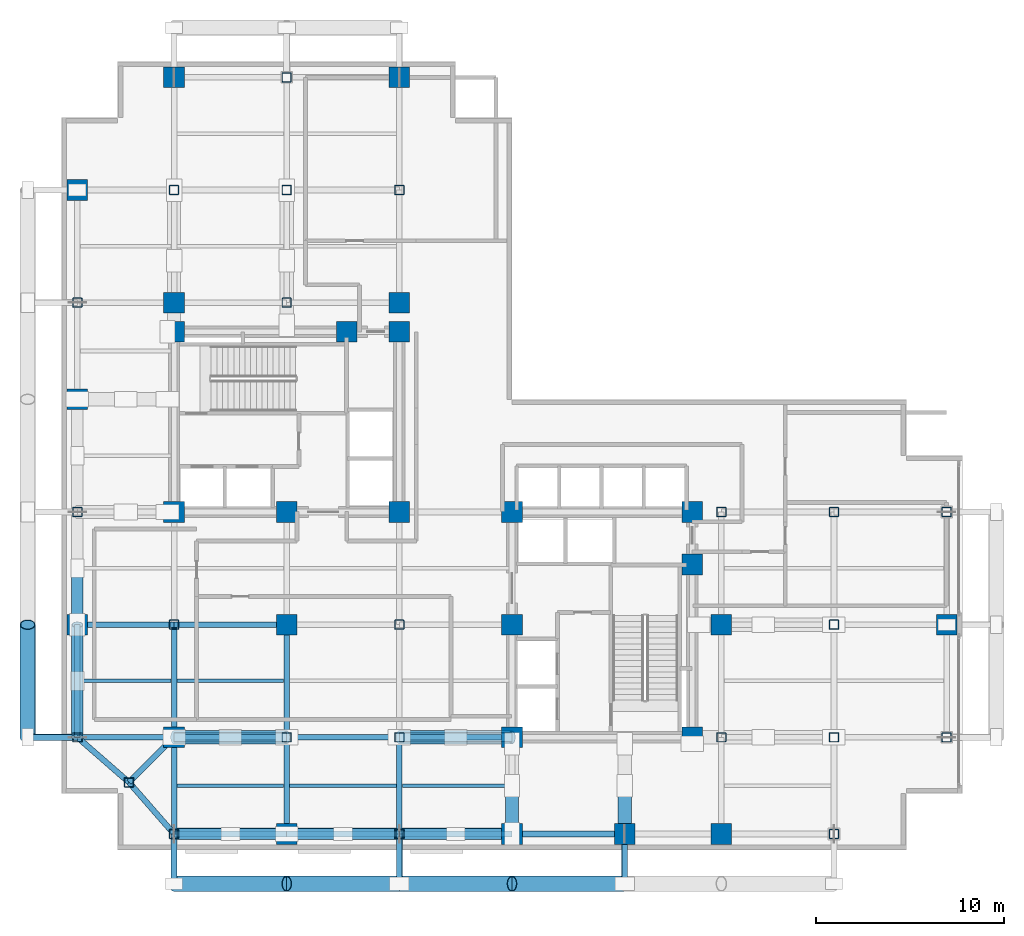
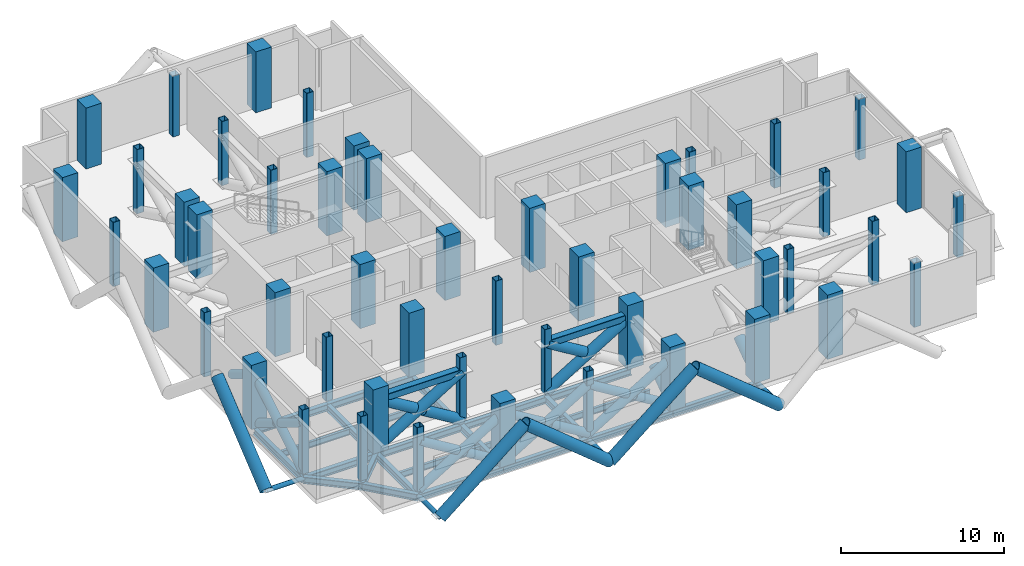
# One storey, part 1 of 9: 50 columns, 31 members, 24 beams.
"""IFC4 building model written with IfcOpenShell, lengths in metres."""

from ifc_helpers import new_model, si_unit, direction, frame, origin, origin_2d, place, context, subcontext, project, spatial, rectangle, hollow_rectangle, hollow_circle, i_section, extrude, material, material_profile, profile_set, type_object, element, save


model = new_model("IFC4")

# Units and contexts
model_context = context("Model", 3, precision=1e-05, world=origin(), true_north=direction((0.0, 1.0)))
body_context = subcontext(model_context, "Body", "Model", "MODEL_VIEW")
ifc_project = project(units=[si_unit("LENGTHUNIT", "METRE"), si_unit("AREAUNIT", "SQUARE_METRE"), si_unit("VOLUMEUNIT", "CUBIC_METRE"), si_unit("PLANEANGLEUNIT", "RADIAN"), si_unit("MASSUNIT", "GRAM", prefix="KILO"), si_unit("THERMODYNAMICTEMPERATUREUNIT", "KELVIN"), si_unit("POWERUNIT", "WATT")], contexts=[model_context])

# Site, building, storey
site_placement = place(None, origin())
site = spatial("IfcSite", under=ifc_project, at=site_placement, CompositionType="ELEMENT")
building_placement = place(site_placement, origin())
building = spatial("IfcBuilding", under=site, at=building_placement, Name="Svarakhadi Broadcast Tower", CompositionType="ELEMENT")
storey_placement = place(building_placement, frame((0.0, 0.0, 164.39990234375)))
storey = spatial("IfcBuildingStorey", under=building, at=storey_placement, Name="L40", CompositionType="ELEMENT", Elevation=164.39990234375)

# Columns
ifc_material_1 = material(Name="Concrete C50/60 (IS 456 M60)", Category="concrete")
ifc_material_profile_1 = material_profile(ifc_material_1, rectangle(XDim=1.10009765625, YDim=1.10009765625, at=origin_2d()), Name="RC 1100x1100")
ifc_profile_set_1 = profile_set([ifc_material_profile_1], Name="Concrete C50/60 (IS 456 M60)")
column_type_1 = type_object("IfcColumnType", Name="Col_RC1100", PredefinedType="COLUMN", material=ifc_profile_set_1)
for number, where, z_axis, x_axis, name in (
    (1, (6.0, 18.0, 0.0), (0.0, 0.0, 1.0), (1.0, 0.0, 0.0), "L40 Column CW1"),
    (2, (12.0, 18.0, 0.0), (0.0, 0.0, 1.0), (1.0, 0.0, 0.0), "L40 Column CW2"),
    (3, (18.0, 18.0, 0.0), (0.0, 0.0, 1.0), (1.0, 0.0, 0.0), "L40 Column CW3"),
    (4, (6.0, 27.60009765625, 0.0), (0.0, 0.0, 1.0), (1.0, 0.0, 0.0), "L40 Column CW4"),
    (5, (15.199951171875, 27.60009765625, 0.0), (0.0, 0.0, 1.0), (1.0, 0.0, 0.0), "L40 Column CW5"),
    (6, (18.0, 27.60009765625, 0.0), (0.0, 0.0, 1.0), (1.0, 0.0, 0.0), "L40 Column CW6"),
    (7, (24.0, 6.0, 0.0), (0.0, 0.0, 1.0), (1.0, 0.0, 0.0), "L40 Column CE1"),
    (8, (24.0, 12.0, 0.0), (0.0, 0.0, 1.0), (1.0, 0.0, 0.0), "L40 Column CE2"),
    (9, (24.0, 18.0, 0.0), (0.0, 0.0, 1.0), (1.0, 0.0, 0.0), "L40 Column CE3"),
    (10, (33.60009765625, 6.0, 0.0), (0.0, 0.0, 1.0), (1.0, 0.0, 0.0), "L40 Column CE4"),
    (11, (33.60009765625, 15.199951171875, 0.0), (0.0, 0.0, 1.0), (1.0, 0.0, 0.0), "L40 Column CE5"),
    (12, (33.60009765625, 18.0, 0.0), (0.0, 0.0, 1.0), (1.0, 0.0, 0.0), "L40 Column CE6"),
    (13, (0.85009765625, 12.0, 0.0), (0.0, 0.0, 1.0), (1.0, 0.0, 0.0), "L40 Column G04"),
    (14, (0.85009765625, 24.0, 0.0), (0.0, 0.0, 1.0), (1.0, 0.0, 0.0), "L40 Column G06"),
    (15, (0.85009765625, 35.14990234375, 0.0), (0.0, 0.0, 1.0), (1.0, 0.0, 0.0), "L40 Column G08"),
    (16, (6.0, 6.0, 0.0), (0.0, 0.0, 1.0), (1.0, 0.0, 0.0), "L40 Column G12"),
    (17, (6.0, 29.14990234375, 0.0), (0.0, 0.0, 1.0), (1.0, 0.0, 0.0), "L40 Column G14"),
):
    element("IfcColumn", number, at=place(storey_placement, frame(where, z_axis=z_axis, x_axis=x_axis)), inside=storey, type_object=column_type_1, Name=name, PredefinedType="COLUMN", context=body_context, shape_type="SweptSolid", body=[
        extrude(rectangle(XDim=1.10009765625, YDim=1.10009765625, at=origin_2d()), origin(), (0.0, 0.0, 1.0), 4.800048828125),
    ])
column_1_placement = place(storey_placement, frame((6.0, 41.14990234375, 0.0), z_axis=(0.0, 0.0, 1.0), x_axis=(1.0, 0.0, 0.0)))
element("IfcColumn", 18, at=column_1_placement, inside=storey, type_object=column_type_1, Name="L40 Column G16", PredefinedType="COLUMN", context=body_context, shape_type="SweptSolid", body=[
    extrude(rectangle(XDim=1.10009765625, YDim=1.10009765625, at=origin_2d()), origin(), (0.0, 0.0, 1.0), 4.56005859375),
])
for number, where, z_axis, x_axis, name in (
    (19, (12.0, 0.85009765625, 0.0), (0.0, 0.0, 1.0), (1.0, 0.0, 0.0), "L40 Column G18"),
    (20, (12.0, 12.0, 0.0), (0.0, 0.0, 1.0), (1.0, 0.0, 0.0), "L40 Column G20"),
    (21, (18.0, 29.14990234375, 0.0), (0.0, 0.0, 1.0), (1.0, 0.0, 0.0), "L40 Column G28"),
):
    element("IfcColumn", number, at=place(storey_placement, frame(where, z_axis=z_axis, x_axis=x_axis)), inside=storey, type_object=column_type_1, Name=name, PredefinedType="COLUMN", context=body_context, shape_type="SweptSolid", body=[
        extrude(rectangle(XDim=1.10009765625, YDim=1.10009765625, at=origin_2d()), origin(), (0.0, 0.0, 1.0), 4.800048828125),
    ])
column_2_placement = place(storey_placement, frame((18.0, 41.14990234375, 0.0), z_axis=(0.0, 0.0, 1.0), x_axis=(1.0, 0.0, 0.0)))
element("IfcColumn", 22, at=column_2_placement, inside=storey, type_object=column_type_1, Name="L40 Column G30", PredefinedType="COLUMN", context=body_context, shape_type="SweptSolid", body=[
    extrude(rectangle(XDim=1.10009765625, YDim=1.10009765625, at=origin_2d()), origin(), (0.0, 0.0, 1.0), 4.56005859375),
])
for number, where, z_axis, x_axis, name in (
    (23, (24.0, 0.85009765625, 0.0), (0.0, 0.0, 1.0), (1.0, 0.0, 0.0), "L40 Column G32"),
    (24, (30.0, 0.85009765625, 0.0), (0.0, 0.0, 1.0), (1.0, 0.0, 0.0), "L40 Column G36"),
    (25, (35.14990234375, 0.85009765625, 0.0), (0.0, 0.0, 1.0), (1.0, 0.0, 0.0), "L40 Column G38"),
    (26, (35.14990234375, 12.0, 0.0), (0.0, 0.0, 1.0), (1.0, 0.0, 0.0), "L40 Column G40"),
):
    element("IfcColumn", number, at=place(storey_placement, frame(where, z_axis=z_axis, x_axis=x_axis)), inside=storey, type_object=column_type_1, Name=name, PredefinedType="COLUMN", context=body_context, shape_type="SweptSolid", body=[
        extrude(rectangle(XDim=1.10009765625, YDim=1.10009765625, at=origin_2d()), origin(), (0.0, 0.0, 1.0), 4.800048828125),
    ])
column_3_placement = place(storey_placement, frame((47.14990234375, 12.0, 0.0), z_axis=(0.0, 0.0, 1.0), x_axis=(1.0, 0.0, 0.0)))
element("IfcColumn", 27, at=column_3_placement, inside=storey, type_object=column_type_1, Name="L40 Column G52", PredefinedType="COLUMN", context=body_context, shape_type="SweptSolid", body=[
    extrude(rectangle(XDim=1.10009765625, YDim=1.10009765625, at=origin_2d()), origin(), (0.0, 0.0, 1.0), 4.56005859375),
])
ifc_material_2 = material(Name="Steel S460ML (IS 2062 E450BR)", Category="steel")
ifc_material_profile_2 = material_profile(ifc_material_2, hollow_rectangle(XDim=0.5, YDim=0.5, WallThickness=0.02490234375, InnerFilletRadius=0.02490234375, OuterFilletRadius=0.0400390625, at=origin_2d()), Name="SHS 500x500x25")
ifc_profile_set_2 = profile_set([ifc_material_profile_2], Name="Steel S460ML (IS 2062 E450BR)")
column_type_2 = type_object("IfcColumnType", Name="Col_SHS500", PredefinedType="COLUMN", material=ifc_profile_set_2)
for number, where, z_axis, x_axis, name in (
    (28, (3.60009765625, 3.60009765625, 0.0), (0.0, 0.0, 1.0), (1.0, 0.0, 0.0), "L40 Column G01"),
    (29, (0.85009765625, 6.0, 0.0), (0.0, 0.0, 1.0), (1.0, 0.0, 0.0), "L40 Column G03"),
    (30, (0.85009765625, 18.0, 0.0), (0.0, 0.0, 1.0), (1.0, 0.0, 0.0), "L40 Column G05"),
    (31, (0.85009765625, 29.14990234375, 0.0), (0.0, 0.0, 1.0), (1.0, 0.0, 0.0), "L40 Column G07"),
    (32, (6.0, 0.85009765625, 0.0), (0.0, 0.0, 1.0), (1.0, 0.0, 0.0), "L40 Column G11"),
    (33, (6.0, 12.0, 0.0), (0.0, 0.0, 1.0), (1.0, 0.0, 0.0), "L40 Column G13"),
    (34, (6.0, 35.14990234375, 0.0), (0.0, 0.0, 1.0), (1.0, 0.0, 0.0), "L40 Column G15"),
    (35, (12.0, 6.0, 0.0), (0.0, 0.0, 1.0), (1.0, 0.0, 0.0), "L40 Column G19"),
    (36, (12.0, 29.14990234375, 0.0), (0.0, 0.0, 1.0), (1.0, 0.0, 0.0), "L40 Column G21"),
    (37, (12.0, 35.14990234375, 0.0), (0.0, 0.0, 1.0), (1.0, 0.0, 0.0), "L40 Column G22"),
):
    element("IfcColumn", number, at=place(storey_placement, frame(where, z_axis=z_axis, x_axis=x_axis)), inside=storey, type_object=column_type_2, Name=name, PredefinedType="COLUMN", context=body_context, shape_type="SweptSolid", body=[
        extrude(hollow_rectangle(XDim=0.5, YDim=0.5, WallThickness=0.02490234375, InnerFilletRadius=0.02490234375, OuterFilletRadius=0.0400390625, at=origin_2d()), origin(), (0.0, 0.0, 1.0), 4.800048828125),
    ])
column_4_placement = place(storey_placement, frame((12.0, 41.14990234375, 0.0), z_axis=(0.0, 0.0, 1.0), x_axis=(1.0, 0.0, 0.0)))
element("IfcColumn", 38, at=column_4_placement, inside=storey, type_object=column_type_2, Name="L40 Column G23", PredefinedType="COLUMN", context=body_context, shape_type="SweptSolid", body=[
    extrude(hollow_rectangle(XDim=0.5, YDim=0.5, WallThickness=0.02490234375, InnerFilletRadius=0.02490234375, OuterFilletRadius=0.0400390625, at=origin_2d()), origin(), (0.0, 0.0, 1.0), 4.56005859375),
])
for number, where, z_axis, x_axis, name in (
    (39, (18.0, 0.85009765625, 0.0), (0.0, 0.0, 1.0), (1.0, 0.0, 0.0), "L40 Column G25"),
    (40, (18.0, 6.0, 0.0), (0.0, 0.0, 1.0), (1.0, 0.0, 0.0), "L40 Column G26"),
    (41, (18.0, 12.0, 0.0), (0.0, 0.0, 1.0), (1.0, 0.0, 0.0), "L40 Column G27"),
    (42, (18.0, 35.14990234375, 0.0), (0.0, 0.0, 1.0), (1.0, 0.0, 0.0), "L40 Column G29"),
    (43, (35.14990234375, 6.0, 0.0), (0.0, 0.0, 1.0), (1.0, 0.0, 0.0), "L40 Column G39"),
    (44, (35.14990234375, 18.0, 0.0), (0.0, 0.0, 1.0), (1.0, 0.0, 0.0), "L40 Column G41"),
    (45, (41.14990234375, 0.85009765625, 0.0), (0.0, 0.0, 1.0), (1.0, 0.0, 0.0), "L40 Column G43"),
    (46, (41.14990234375, 6.0, 0.0), (0.0, 0.0, 1.0), (1.0, 0.0, 0.0), "L40 Column G44"),
    (47, (41.14990234375, 12.0, 0.0), (0.0, 0.0, 1.0), (1.0, 0.0, 0.0), "L40 Column G45"),
    (48, (41.14990234375, 18.0, 0.0), (0.0, 0.0, 1.0), (1.0, 0.0, 0.0), "L40 Column G46"),
):
    element("IfcColumn", number, at=place(storey_placement, frame(where, z_axis=z_axis, x_axis=x_axis)), inside=storey, type_object=column_type_2, Name=name, PredefinedType="COLUMN", context=body_context, shape_type="SweptSolid", body=[
        extrude(hollow_rectangle(XDim=0.5, YDim=0.5, WallThickness=0.02490234375, InnerFilletRadius=0.02490234375, OuterFilletRadius=0.0400390625, at=origin_2d()), origin(), (0.0, 0.0, 1.0), 4.800048828125),
    ])
for number, where, z_axis, x_axis, name in (
    (49, (47.14990234375, 6.0, 0.0), (0.0, 0.0, 1.0), (1.0, 0.0, 0.0), "L40 Column G51"),
    (50, (47.14990234375, 18.0, 0.0), (0.0, 0.0, 1.0), (1.0, 0.0, 0.0), "L40 Column G53"),
):
    element("IfcColumn", number, at=place(storey_placement, frame(where, z_axis=z_axis, x_axis=x_axis)), inside=storey, type_object=column_type_2, Name=name, PredefinedType="COLUMN", context=body_context, shape_type="SweptSolid", body=[
        extrude(hollow_rectangle(XDim=0.5, YDim=0.5, WallThickness=0.02490234375, InnerFilletRadius=0.02490234375, OuterFilletRadius=0.0400390625, at=origin_2d()), origin(), (0.0, 0.0, 1.0), 4.56005859375),
    ])

# Beams
ifc_material_3 = material(Name="Steel S355J2 (IS 2062 E350C)", Category="steel")
ifc_material_profile_3 = material_profile(ifc_material_3, i_section(OverallWidth=0.18994140625, OverallDepth=0.449951171875, WebThickness=0.009521484375, FlangeThickness=0.0146484375, FilletRadius=0.02099609375, at=origin_2d()), Name="NPB 450x190x78")
ifc_profile_set_3 = profile_set([ifc_material_profile_3], Name="Steel S355J2 (IS 2062 E350C)")
beam_type_1 = type_object("IfcBeamType", Name="Beam_NPB450", PredefinedType="BEAM", material=ifc_profile_set_3)
beam_1_placement = place(storey_placement, frame((1.010009765625, 9.0, -0.5498046875), z_axis=(1.0, 0.0, 0.0), x_axis=(0.0, 1.0, 0.0)))
element("IfcBeam", 51, at=beam_1_placement, inside=storey, type_object=beam_type_1, Name="L40 Secondary Composite Beam SB001", PredefinedType="BEAM", context=body_context, shape_type="SweptSolid", body=[
    extrude(i_section(OverallWidth=0.18994140625, OverallDepth=0.449951171875, WebThickness=0.009521484375, FlangeThickness=0.0146484375, FilletRadius=0.02099609375, at=origin_2d()), origin(), (0.0, 0.0, 1.0), 4.830078125),
])
for number, where, z_axis, x_axis, name in (
    (52, (6.159912109375, 3.425048828125, -0.5498046875), (1.0, 0.0, 0.0), (0.0, 1.0, 0.0), "L40 Secondary Composite Beam SB006"),
    (53, (6.159912109375, 9.0, -0.5498046875), (1.0, 0.0, 0.0), (0.0, 1.0, 0.0), "L40 Secondary Composite Beam SB007"),
    (54, (12.159912109375, 3.425048828125, -0.5498046875), (1.0, 0.0, 0.0), (0.0, 1.0, 0.0), "L40 Secondary Composite Beam SB011"),
    (55, (18.159912109375, 3.425048828125, -0.5498046875), (1.0, 0.0, 0.0), (0.0, 1.0, 0.0), "L40 Secondary Composite Beam SB016"),
):
    element("IfcBeam", number, at=place(storey_placement, frame(where, z_axis=z_axis, x_axis=x_axis)), inside=storey, type_object=beam_type_1, Name=name, PredefinedType="BEAM", context=body_context, shape_type="SweptSolid", body=[
        extrude(i_section(OverallWidth=0.18994140625, OverallDepth=0.449951171875, WebThickness=0.009521484375, FlangeThickness=0.0146484375, FilletRadius=0.02099609375, at=origin_2d()), origin(), (0.0, 0.0, 1.0), 5.68017578125),
    ])

# Members
ifc_material_profile_4 = material_profile(ifc_material_2, hollow_circle(Radius=0.304931640625, WallThickness=0.030029296875, at=origin_2d()), Name="CHS 610x30")
ifc_profile_set_4 = profile_set([ifc_material_profile_4], Name="Steel S460ML (IS 2062 E450BR)")
member_type_1 = type_object("IfcMemberType", Name="Belt_Brace_BT01", PredefinedType="BRACE", material=ifc_profile_set_4)
member_1_placement = place(storey_placement, frame((6.0, 0.85009765625, 0.0), z_axis=(0.85495943252, 0.0, 0.51869487056), x_axis=(0.0, 1.0, 0.0)))
element("IfcMember", 56, at=member_1_placement, inside=storey, type_object=member_type_1, Name="L40 Perimeter Belt Truss Diagonal BT-01A", PredefinedType="BRACE", context=body_context, shape_type="SweptSolid", body=[
    extrude(hollow_circle(Radius=0.304931640625, WallThickness=0.030029296875, at=origin_2d()), origin(), (0.0, 0.0, 1.0), 7.017822265625),
])
for number, where, z_axis, x_axis, name in (
    (57, (12.0, 0.85009765625, 0.0), (-0.854961313502, 0.0, 0.518691770143), (0.0, -1.0, 0.0), "L40 Perimeter Belt Truss Diagonal BT-01B1"),
    (58, (8.7392578125, 0.85009765625, 1.978271484375), (-0.854961313502, 0.0, 0.518691770143), (0.0, -1.0, 0.0), "L40 Perimeter Belt Truss Diagonal BT-01B2"),
):
    element("IfcMember", number, at=place(storey_placement, frame(where, z_axis=z_axis, x_axis=x_axis)), inside=storey, type_object=member_type_1, Name=name, PredefinedType="BRACE", context=body_context, shape_type="SweptSolid", body=[
        extrude(hollow_circle(Radius=0.304931640625, WallThickness=0.030029296875, at=origin_2d()), origin(), (0.0, 0.0, 1.0), 3.203857421875),
    ])
member_2_placement = place(storey_placement, frame((12.0, 0.85009765625, 0.0), z_axis=(0.85495943252, 0.0, 0.51869487056), x_axis=(0.0, 1.0, 0.0)))
element("IfcMember", 59, at=member_2_placement, inside=storey, type_object=member_type_1, Name="L40 Perimeter Belt Truss Diagonal BT-02A", PredefinedType="BRACE", context=body_context, shape_type="SweptSolid", body=[
    extrude(hollow_circle(Radius=0.304931640625, WallThickness=0.030029296875, at=origin_2d()), origin(), (0.0, 0.0, 1.0), 7.017822265625),
])
for number, where, z_axis, x_axis, name in (
    (60, (18.0, 0.85009765625, 0.0), (-0.854961313502, 0.0, 0.518691770143), (0.0, -1.0, 0.0), "L40 Perimeter Belt Truss Diagonal BT-02B1"),
    (61, (14.7392578125, 0.85009765625, 1.978271484375), (-0.854961313502, 0.0, 0.518691770143), (0.0, -1.0, 0.0), "L40 Perimeter Belt Truss Diagonal BT-02B2"),
):
    element("IfcMember", number, at=place(storey_placement, frame(where, z_axis=z_axis, x_axis=x_axis)), inside=storey, type_object=member_type_1, Name=name, PredefinedType="BRACE", context=body_context, shape_type="SweptSolid", body=[
        extrude(hollow_circle(Radius=0.304931640625, WallThickness=0.030029296875, at=origin_2d()), origin(), (0.0, 0.0, 1.0), 3.203857421875),
    ])
member_3_placement = place(storey_placement, frame((18.0, 0.85009765625, 0.0), z_axis=(0.85495943252, 0.0, 0.51869487056), x_axis=(0.0, 1.0, 0.0)))
element("IfcMember", 62, at=member_3_placement, inside=storey, type_object=member_type_1, Name="L40 Perimeter Belt Truss Diagonal BT-03A", PredefinedType="BRACE", context=body_context, shape_type="SweptSolid", body=[
    extrude(hollow_circle(Radius=0.304931640625, WallThickness=0.030029296875, at=origin_2d()), origin(), (0.0, 0.0, 1.0), 7.017822265625),
])
for number, where, z_axis, x_axis, name in (
    (63, (24.0, 0.85009765625, 0.0), (-0.854961313502, 0.0, 0.518691770143), (0.0, -1.0, 0.0), "L40 Perimeter Belt Truss Diagonal BT-03B1"),
    (64, (20.7392578125, 0.85009765625, 1.978271484375), (-0.854961313502, 0.0, 0.518691770143), (0.0, -1.0, 0.0), "L40 Perimeter Belt Truss Diagonal BT-03B2"),
):
    element("IfcMember", number, at=place(storey_placement, frame(where, z_axis=z_axis, x_axis=x_axis)), inside=storey, type_object=member_type_1, Name=name, PredefinedType="BRACE", context=body_context, shape_type="SweptSolid", body=[
        extrude(hollow_circle(Radius=0.304931640625, WallThickness=0.030029296875, at=origin_2d()), origin(), (0.0, 0.0, 1.0), 3.203857421875),
    ])
member_4_placement = place(storey_placement, frame((0.85009765625, 6.0, 0.0), z_axis=(0.0, 0.85495943252, 0.51869487056), x_axis=(-1.0, 0.0, 0.0)))
element("IfcMember", 65, at=member_4_placement, inside=storey, type_object=member_type_1, Name="L40 Perimeter Belt Truss Diagonal BT-04A", PredefinedType="BRACE", context=body_context, shape_type="SweptSolid", body=[
    extrude(hollow_circle(Radius=0.304931640625, WallThickness=0.030029296875, at=origin_2d()), origin(), (0.0, 0.0, 1.0), 7.017822265625),
])
for number, where, z_axis, x_axis, name in (
    (66, (0.85009765625, 12.0, 0.0), (0.0, -0.854961313502, 0.518691770143), (1.0, 0.0, 0.0), "L40 Perimeter Belt Truss Diagonal BT-04B1"),
    (67, (0.85009765625, 8.7392578125, 1.978271484375), (0.0, -0.854961313502, 0.518691770143), (1.0, 0.0, 0.0), "L40 Perimeter Belt Truss Diagonal BT-04B2"),
    (68, (0.85009765625, 14.7392578125, 1.978271484375), (0.0, -0.854961313502, 0.518691770143), (1.0, 0.0, 0.0), "L40 Perimeter Belt Truss Diagonal BT-05B2"),
):
    element("IfcMember", number, at=place(storey_placement, frame(where, z_axis=z_axis, x_axis=x_axis)), inside=storey, type_object=member_type_1, Name=name, PredefinedType="BRACE", context=body_context, shape_type="SweptSolid", body=[
        extrude(hollow_circle(Radius=0.304931640625, WallThickness=0.030029296875, at=origin_2d()), origin(), (0.0, 0.0, 1.0), 3.203857421875),
    ])
ifc_material_profile_5 = material_profile(ifc_material_2, hollow_circle(Radius=0.406494140625, WallThickness=0.0400390625, at=origin_2d()), Name="CHS 813x40")
ifc_profile_set_5 = profile_set([ifc_material_profile_5], Name="Steel S460ML (IS 2062 E450BR)")
member_type_2 = type_object("IfcMemberType", Name="Exo_Brace_CHS813", PredefinedType="BRACE", material=ifc_profile_set_5)
for number, where, z_axis, x_axis, name in (
    (69, (6.0, -1.800048828125, -0.48681640625), (0.773581307551, 0.0, 0.633697057439), (0.0, 1.0, 0.0), "L40 Exposed Bronze Exoskeleton Diagonal S01"),
    (70, (18.0, -1.800048828125, -0.48681640625), (-0.773581307551, 0.0, 0.633697057439), (0.0, -1.0, 0.0), "L40 Exposed Bronze Exoskeleton Diagonal S02"),
    (71, (18.0, -1.800048828125, -0.48681640625), (0.773581307551, 0.0, 0.633697057439), (0.0, 1.0, 0.0), "L40 Exposed Bronze Exoskeleton Diagonal S03"),
    (72, (30.0, -1.800048828125, -0.48681640625), (-0.773581307551, 0.0, 0.633697057439), (0.0, -1.0, 0.0), "L40 Exposed Bronze Exoskeleton Diagonal S04"),
    (73, (-1.800048828125, 6.0, -0.48681640625), (0.0, 0.773581307551, 0.633697057439), (-1.0, 0.0, 0.0), "L40 Exposed Bronze Exoskeleton Diagonal W07"),
):
    element("IfcMember", number, at=place(storey_placement, frame(where, z_axis=z_axis, x_axis=x_axis)), inside=storey, type_object=member_type_2, Name=name, PredefinedType="BRACE", context=body_context, shape_type="SweptSolid", body=[
        extrude(hollow_circle(Radius=0.406494140625, WallThickness=0.0400390625, at=origin_2d()), origin(), (0.0, 0.0, 1.0), 7.756103515625),
    ])
ifc_material_profile_6 = material_profile(ifc_material_2, hollow_circle(Radius=0.161865234375, WallThickness=0.01611328125, at=origin_2d()), Name="CHS 323.9x16")
ifc_profile_set_6 = profile_set([ifc_material_profile_6], Name="Steel S460ML (IS 2062 E450BR)")
member_type_3 = type_object("IfcMemberType", Name="Exo_Radial_Strut_Z2", PredefinedType="STRUT", material=ifc_profile_set_6)
for number, where, z_axis, x_axis, name in (
    (74, (6.0, -1.800048828125, -0.48681640625), (0.0, 1.0, 0.0), (-1.0, 0.0, 0.0), "L40 Exoskeleton Radial Tie Strut S01"),
    (75, (18.0, -1.800048828125, -0.48681640625), (0.0, 1.0, 0.0), (-1.0, 0.0, 0.0), "L40 Exoskeleton Radial Tie Strut S02"),
    (76, (30.0, -1.800048828125, -0.48681640625), (0.0, 1.0, 0.0), (-1.0, 0.0, 0.0), "L40 Exoskeleton Radial Tie Strut S03"),
    (77, (-1.800048828125, 6.0, -0.48681640625), (1.0, 0.0, 0.0), (0.0, 1.0, 0.0), "L40 Exoskeleton Radial Tie Strut W05"),
):
    element("IfcMember", number, at=place(storey_placement, frame(where, z_axis=z_axis, x_axis=x_axis)), inside=storey, type_object=member_type_3, Name=name, PredefinedType="STRUT", context=body_context, shape_type="SweptSolid", body=[
        extrude(hollow_circle(Radius=0.161865234375, WallThickness=0.01611328125, at=origin_2d()), origin(), (0.0, 0.0, 1.0), 2.650146484375),
    ])

# Beams
ifc_material_profile_7 = material_profile(ifc_material_3, i_section(OverallWidth=0.300048828125, OverallDepth=0.5, WebThickness=0.014404296875, FlangeThickness=0.028076171875, FilletRadius=0.027099609375, at=origin_2d()), Name="WPB 500x300x187")
ifc_profile_set_7 = profile_set([ifc_material_profile_7], Name="Steel S355J2 (IS 2062 E350C)")
beam_type_2 = type_object("IfcBeamType", Name="Girder_WPB500", PredefinedType="USERDEFINED", material=ifc_profile_set_7)
beam_2_placement = place(storey_placement, frame((3.60009765625, 3.60009765625, -0.574951171875), z_axis=(0.707106781187, 0.707106781187, 0.0), x_axis=(-0.707106781187, 0.707106781187, 0.0)))
element("IfcBeam", 78, at=beam_2_placement, inside=storey, type_object=beam_type_2, Name="L40 Corner Tie Girder G001", ObjectType="GIRDER", PredefinedType="USERDEFINED", context=body_context, shape_type="SweptSolid", body=[
    extrude(i_section(OverallWidth=0.300048828125, OverallDepth=0.5, WebThickness=0.014404296875, FlangeThickness=0.028076171875, FilletRadius=0.027099609375, at=origin_2d()), origin(), (0.0, 0.0, 1.0), 3.39404296875),
])
for number, where, z_axis, x_axis, name in (
    (79, (3.60009765625, 3.60009765625, -0.574951171875), (-0.753437912176, 0.657519058655, 0.0), (-0.657519058655, -0.753437912176, 0.0), "L40 Corner Tie Girder G002"),
    (80, (3.60009765625, 3.60009765625, -0.574951171875), (0.657519058655, -0.753437912176, 0.0), (0.753437912176, 0.657519058655, 0.0), "L40 Corner Tie Girder G003"),
):
    element("IfcBeam", number, at=place(storey_placement, frame(where, z_axis=z_axis, x_axis=x_axis)), inside=storey, type_object=beam_type_2, Name=name, ObjectType="GIRDER", PredefinedType="USERDEFINED", context=body_context, shape_type="SweptSolid", body=[
        extrude(i_section(OverallWidth=0.300048828125, OverallDepth=0.5, WebThickness=0.014404296875, FlangeThickness=0.028076171875, FilletRadius=0.027099609375, at=origin_2d()), origin(), (0.0, 0.0, 1.0), 3.64990234375),
    ])
for number, where, z_axis, x_axis, name in (
    (81, (6.0, 0.85009765625, -0.574951171875), (1.0, 0.0, 0.0), (0.0, 1.0, 0.0), "L40 Primary E-W Girder G004"),
    (82, (12.0, 0.85009765625, -0.574951171875), (1.0, 0.0, 0.0), (0.0, 1.0, 0.0), "L40 Primary E-W Girder G005"),
    (83, (18.0, 0.85009765625, -0.574951171875), (1.0, 0.0, 0.0), (0.0, 1.0, 0.0), "L40 Primary E-W Girder G006"),
    (84, (24.0, 0.85009765625, -0.574951171875), (1.0, 0.0, 0.0), (0.0, 1.0, 0.0), "L40 Primary E-W Girder G007"),
):
    element("IfcBeam", number, at=place(storey_placement, frame(where, z_axis=z_axis, x_axis=x_axis)), inside=storey, type_object=beam_type_2, Name=name, ObjectType="GIRDER", PredefinedType="USERDEFINED", context=body_context, shape_type="SweptSolid", body=[
        extrude(i_section(OverallWidth=0.300048828125, OverallDepth=0.5, WebThickness=0.014404296875, FlangeThickness=0.028076171875, FilletRadius=0.027099609375, at=origin_2d()), origin(), (0.0, 0.0, 1.0), 6.0),
    ])
beam_3_placement = place(storey_placement, frame((0.85009765625, 6.0, -0.574951171875), z_axis=(1.0, 0.0, 0.0), x_axis=(0.0, 1.0, 0.0)))
element("IfcBeam", 85, at=beam_3_placement, inside=storey, type_object=beam_type_2, Name="L40 Primary E-W Girder G010", ObjectType="GIRDER", PredefinedType="USERDEFINED", context=body_context, shape_type="SweptSolid", body=[
    extrude(i_section(OverallWidth=0.300048828125, OverallDepth=0.5, WebThickness=0.014404296875, FlangeThickness=0.028076171875, FilletRadius=0.027099609375, at=origin_2d()), origin(), (0.0, 0.0, 1.0), 5.14990234375),
])
for number, where, z_axis, x_axis, name in (
    (86, (6.0, 6.0, -0.574951171875), (1.0, 0.0, 0.0), (0.0, 1.0, 0.0), "L40 Primary E-W Girder G011"),
    (87, (12.0, 6.0, -0.574951171875), (1.0, 0.0, 0.0), (0.0, 1.0, 0.0), "L40 Primary E-W Girder G012"),
    (88, (18.0, 6.0, -0.574951171875), (1.0, 0.0, 0.0), (0.0, 1.0, 0.0), "L40 Primary E-W Girder G013"),
):
    element("IfcBeam", number, at=place(storey_placement, frame(where, z_axis=z_axis, x_axis=x_axis)), inside=storey, type_object=beam_type_2, Name=name, ObjectType="GIRDER", PredefinedType="USERDEFINED", context=body_context, shape_type="SweptSolid", body=[
        extrude(i_section(OverallWidth=0.300048828125, OverallDepth=0.5, WebThickness=0.014404296875, FlangeThickness=0.028076171875, FilletRadius=0.027099609375, at=origin_2d()), origin(), (0.0, 0.0, 1.0), 6.0),
    ])
beam_4_placement = place(storey_placement, frame((0.85009765625, 12.0, -0.574951171875), z_axis=(1.0, 0.0, 0.0), x_axis=(0.0, 1.0, 0.0)))
element("IfcBeam", 89, at=beam_4_placement, inside=storey, type_object=beam_type_2, Name="L40 Primary E-W Girder G017", ObjectType="GIRDER", PredefinedType="USERDEFINED", context=body_context, shape_type="SweptSolid", body=[
    extrude(i_section(OverallWidth=0.300048828125, OverallDepth=0.5, WebThickness=0.014404296875, FlangeThickness=0.028076171875, FilletRadius=0.027099609375, at=origin_2d()), origin(), (0.0, 0.0, 1.0), 5.14990234375),
])
for number, where, z_axis, x_axis, name in (
    (90, (6.0, 12.0, -0.574951171875), (1.0, 0.0, 0.0), (0.0, 1.0, 0.0), "L40 Primary E-W Girder G018"),
    (91, (0.85009765625, 6.0, -0.574951171875), (0.0, 1.0, 0.0), (-1.0, 0.0, 0.0), "L40 Primary N-S Girder G040"),
):
    element("IfcBeam", number, at=place(storey_placement, frame(where, z_axis=z_axis, x_axis=x_axis)), inside=storey, type_object=beam_type_2, Name=name, ObjectType="GIRDER", PredefinedType="USERDEFINED", context=body_context, shape_type="SweptSolid", body=[
        extrude(i_section(OverallWidth=0.300048828125, OverallDepth=0.5, WebThickness=0.014404296875, FlangeThickness=0.028076171875, FilletRadius=0.027099609375, at=origin_2d()), origin(), (0.0, 0.0, 1.0), 6.0),
    ])
beam_5_placement = place(storey_placement, frame((6.0, 0.85009765625, -0.574951171875), z_axis=(0.0, 1.0, 0.0), x_axis=(-1.0, 0.0, 0.0)))
element("IfcBeam", 92, at=beam_5_placement, inside=storey, type_object=beam_type_2, Name="L40 Primary N-S Girder G045", ObjectType="GIRDER", PredefinedType="USERDEFINED", context=body_context, shape_type="SweptSolid", body=[
    extrude(i_section(OverallWidth=0.300048828125, OverallDepth=0.5, WebThickness=0.014404296875, FlangeThickness=0.028076171875, FilletRadius=0.027099609375, at=origin_2d()), origin(), (0.0, 0.0, 1.0), 5.14990234375),
])
beam_6_placement = place(storey_placement, frame((6.0, 6.0, -0.574951171875), z_axis=(0.0, 1.0, 0.0), x_axis=(-1.0, 0.0, 0.0)))
element("IfcBeam", 93, at=beam_6_placement, inside=storey, type_object=beam_type_2, Name="L40 Primary N-S Girder G046", ObjectType="GIRDER", PredefinedType="USERDEFINED", context=body_context, shape_type="SweptSolid", body=[
    extrude(i_section(OverallWidth=0.300048828125, OverallDepth=0.5, WebThickness=0.014404296875, FlangeThickness=0.028076171875, FilletRadius=0.027099609375, at=origin_2d()), origin(), (0.0, 0.0, 1.0), 6.0),
])
beam_7_placement = place(storey_placement, frame((12.0, 0.85009765625, -0.574951171875), z_axis=(0.0, 1.0, 0.0), x_axis=(-1.0, 0.0, 0.0)))
element("IfcBeam", 94, at=beam_7_placement, inside=storey, type_object=beam_type_2, Name="L40 Primary N-S Girder G051", ObjectType="GIRDER", PredefinedType="USERDEFINED", context=body_context, shape_type="SweptSolid", body=[
    extrude(i_section(OverallWidth=0.300048828125, OverallDepth=0.5, WebThickness=0.014404296875, FlangeThickness=0.028076171875, FilletRadius=0.027099609375, at=origin_2d()), origin(), (0.0, 0.0, 1.0), 5.14990234375),
])
beam_8_placement = place(storey_placement, frame((12.0, 6.0, -0.574951171875), z_axis=(0.0, 1.0, 0.0), x_axis=(-1.0, 0.0, 0.0)))
element("IfcBeam", 95, at=beam_8_placement, inside=storey, type_object=beam_type_2, Name="L40 Primary N-S Girder G052", ObjectType="GIRDER", PredefinedType="USERDEFINED", context=body_context, shape_type="SweptSolid", body=[
    extrude(i_section(OverallWidth=0.300048828125, OverallDepth=0.5, WebThickness=0.014404296875, FlangeThickness=0.028076171875, FilletRadius=0.027099609375, at=origin_2d()), origin(), (0.0, 0.0, 1.0), 6.0),
])
beam_9_placement = place(storey_placement, frame((18.0, 0.85009765625, -0.574951171875), z_axis=(0.0, 1.0, 0.0), x_axis=(-1.0, 0.0, 0.0)))
element("IfcBeam", 96, at=beam_9_placement, inside=storey, type_object=beam_type_2, Name="L40 Primary N-S Girder G056", ObjectType="GIRDER", PredefinedType="USERDEFINED", context=body_context, shape_type="SweptSolid", body=[
    extrude(i_section(OverallWidth=0.300048828125, OverallDepth=0.5, WebThickness=0.014404296875, FlangeThickness=0.028076171875, FilletRadius=0.027099609375, at=origin_2d()), origin(), (0.0, 0.0, 1.0), 5.14990234375),
])

# Members
ifc_material_profile_8 = material_profile(ifc_material_2, hollow_circle(Radius=0.35546875, WallThickness=0.034912109375, at=origin_2d()), Name="CHS 711x35")
ifc_profile_set_8 = profile_set([ifc_material_profile_8], Name="Steel S460ML (IS 2062 E450BR)")
member_type_4 = type_object("IfcMemberType", Name="Outrigger_Brace_OT01", PredefinedType="BRACE", material=ifc_profile_set_8)
for number, where, z_axis, x_axis, name in (
    (97, (24.0, 0.85009765625, 0.0), (0.0, 0.81658317147, 0.577227792186), (-1.0, 0.0, 0.0), "L40 Core-to-Perimeter Outrigger Truss Diagonal OT-05B1"),
    (98, (30.0, 0.85009765625, 0.0), (0.0, 0.81658317147, 0.577227792186), (-1.0, 0.0, 0.0), "L40 Core-to-Perimeter Outrigger Truss Diagonal OT-06B1"),
):
    element("IfcMember", number, at=place(storey_placement, frame(where, z_axis=z_axis, x_axis=x_axis)), inside=storey, type_object=member_type_4, Name=name, PredefinedType="BRACE", context=body_context, shape_type="SweptSolid", body=[
        extrude(hollow_circle(Radius=0.35546875, WallThickness=0.034912109375, at=origin_2d()), origin(), (0.0, 0.0, 1.0), 2.7978515625),
    ])
member_5_placement = place(storey_placement, frame((18.0, 6.0, 0.0), z_axis=(0.85495943252, 0.0, 0.51869487056), x_axis=(0.0, 1.0, 0.0)))
element("IfcMember", 99, at=member_5_placement, inside=storey, type_object=member_type_4, Name="L40 Core-to-Perimeter Outrigger Truss Diagonal OT-09A", PredefinedType="BRACE", context=body_context, shape_type="SweptSolid", body=[
    extrude(hollow_circle(Radius=0.35546875, WallThickness=0.034912109375, at=origin_2d()), origin(), (0.0, 0.0, 1.0), 7.017822265625),
])
member_6_placement = place(storey_placement, frame((20.696044921875, 6.0, 2.00439453125), z_axis=(-0.854948158462, 0.0, 0.518713453019), x_axis=(0.0, -1.0, 0.0)))
element("IfcMember", 100, at=member_6_placement, inside=storey, type_object=member_type_4, Name="L40 Core-to-Perimeter Outrigger Truss Diagonal OT-09B2", PredefinedType="BRACE", context=body_context, shape_type="SweptSolid", body=[
    extrude(hollow_circle(Radius=0.35546875, WallThickness=0.034912109375, at=origin_2d()), origin(), (0.0, 0.0, 1.0), 3.153564453125),
])
member_7_placement = place(storey_placement, frame((6.0, 6.0, 0.0), z_axis=(0.85495943252, 0.0, 0.51869487056), x_axis=(0.0, 1.0, 0.0)))
element("IfcMember", 101, at=member_7_placement, inside=storey, type_object=member_type_4, Name="L40 Core-to-Perimeter Outrigger Truss Diagonal OT-10A", PredefinedType="BRACE", context=body_context, shape_type="SweptSolid", body=[
    extrude(hollow_circle(Radius=0.35546875, WallThickness=0.034912109375, at=origin_2d()), origin(), (0.0, 0.0, 1.0), 7.017822265625),
])
for number, where, z_axis, x_axis, name in (
    (102, (12.0, 6.0, 0.0), (-0.854948158462, 0.0, 0.518713453019), (0.0, -1.0, 0.0), "L40 Core-to-Perimeter Outrigger Truss Diagonal OT-10B1"),
    (103, (8.696044921875, 6.0, 2.00439453125), (-0.854948158462, 0.0, 0.518713453019), (0.0, -1.0, 0.0), "L40 Core-to-Perimeter Outrigger Truss Diagonal OT-10B2"),
):
    element("IfcMember", number, at=place(storey_placement, frame(where, z_axis=z_axis, x_axis=x_axis)), inside=storey, type_object=member_type_4, Name=name, PredefinedType="BRACE", context=body_context, shape_type="SweptSolid", body=[
        extrude(hollow_circle(Radius=0.35546875, WallThickness=0.034912109375, at=origin_2d()), origin(), (0.0, 0.0, 1.0), 3.153564453125),
    ])
ifc_material_profile_9 = material_profile(ifc_material_2, hollow_rectangle(XDim=0.5, YDim=0.5, WallThickness=0.02490234375, InnerFilletRadius=0.02490234375, OuterFilletRadius=0.0400390625, at=origin_2d()), Name="SHS 500x500x25")
ifc_profile_set_9 = profile_set([ifc_material_profile_9], Name="Steel S460ML (IS 2062 E450BR)")
member_type_5 = type_object("IfcMemberType", Name="Outrigger_Truss_Chord", PredefinedType="CHORD", material=ifc_profile_set_9)
for number, where, z_axis, x_axis, name in (
    (104, (18.0, 6.0, 3.64013671875), (1.0, 0.0, 0.0), (0.0, 1.0, 0.0), "L40 Outrigger Truss Top Chord OC-09"),
    (105, (6.0, 6.0, 3.64013671875), (1.0, 0.0, 0.0), (0.0, 1.0, 0.0), "L40 Outrigger Truss Top Chord OC-10"),
):
    element("IfcMember", number, at=place(storey_placement, frame(where, z_axis=z_axis, x_axis=x_axis)), inside=storey, type_object=member_type_5, Name=name, PredefinedType="CHORD", context=body_context, shape_type="SweptSolid", body=[
        extrude(hollow_rectangle(XDim=0.5, YDim=0.5, WallThickness=0.02490234375, InnerFilletRadius=0.02490234375, OuterFilletRadius=0.0400390625, at=origin_2d()), origin(), (0.0, 0.0, 1.0), 6.0),
    ])

save(model, "model.ifc")
